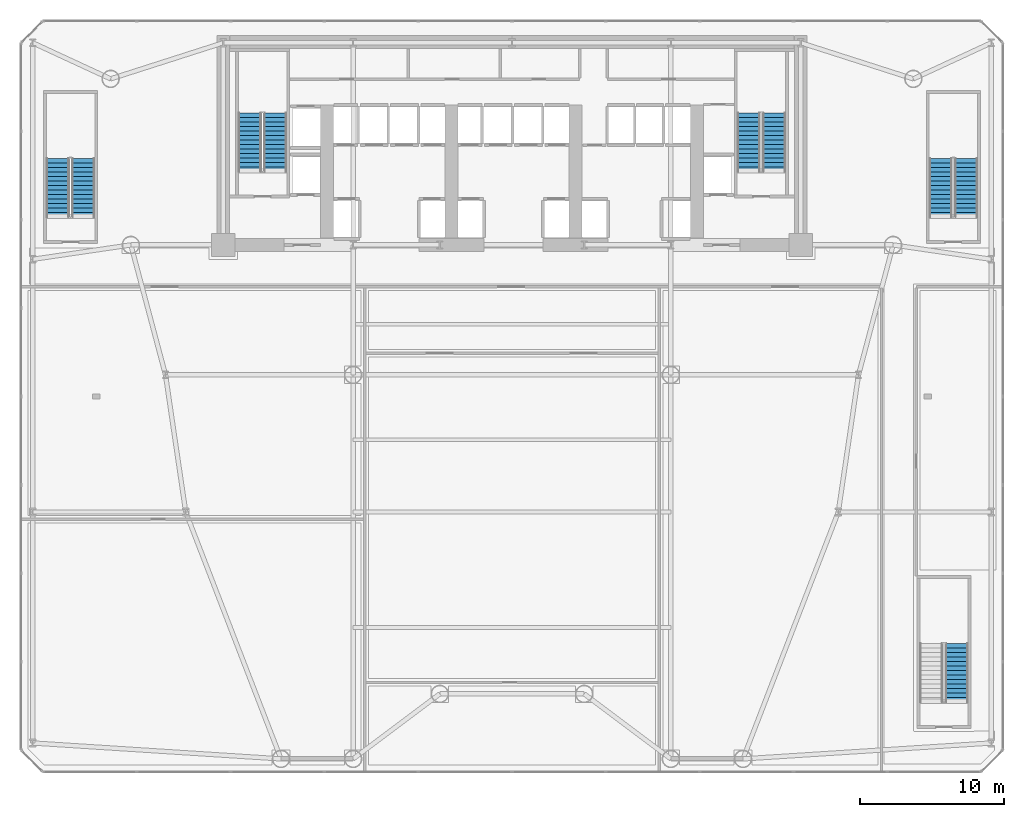
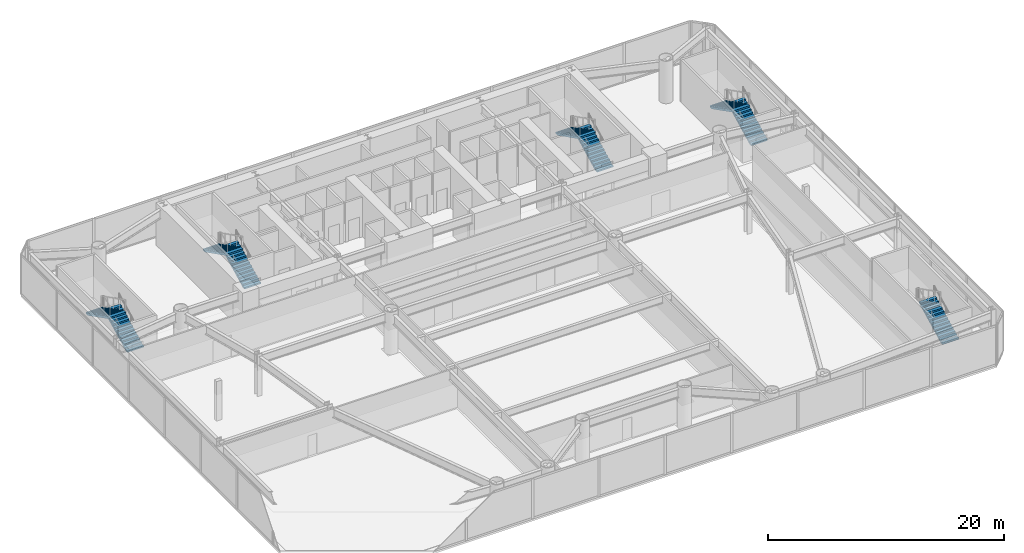
# One storey, part 17 of 24: 9 stair flights, 5 elements without a shape of their own.
"""IFC4 building model written with IfcOpenShell, lengths in metres."""

from ifc_helpers import new_model, si_unit, direction, frame, origin, place, context, subcontext, project, spatial, polyline, outline, extrude, material, type_object, element, aggregate, save


model = new_model("IFC4")

# Units and contexts
model_context = context("Model", 3, precision=1e-05, world=origin(), true_north=direction((0.0, 1.0)))
body_context = subcontext(model_context, "Body", "Model", "MODEL_VIEW")
ifc_project = project(units=[si_unit("LENGTHUNIT", "METRE"), si_unit("AREAUNIT", "SQUARE_METRE"), si_unit("VOLUMEUNIT", "CUBIC_METRE"), si_unit("PLANEANGLEUNIT", "RADIAN"), si_unit("MASSUNIT", "GRAM", prefix="KILO")], contexts=[model_context])

# Site, building, storey
site_placement = place(None, origin())
site = spatial("IfcSite", under=ifc_project, at=site_placement, CompositionType="ELEMENT")
building_placement = place(site_placement, origin())
building = spatial("IfcBuilding", under=site, at=building_placement, Name="Vaeldorn Concourse Tower", CompositionType="ELEMENT")
storey_placement = place(building_placement, frame((0.0, 0.0, 10.0)))
storey = spatial("IfcBuildingStorey", under=building, at=storey_placement, Name="L02", CompositionType="ELEMENT", Elevation=10.0)

# Stair, stair flights
ifc_material = material(Name="Precast concrete C40/50", Category="concrete")
stair_type = type_object("IfcStairType", Name="STR-DOG-28x157", PredefinedType="HALF_TURN_STAIR", material=ifc_material)
stair_1_placement = place(storey_placement, origin())
stair_1 = element("IfcStair", 1, at=stair_1_placement, inside=storey, type_object=stair_type, Name="L02 West Core Exit Stair ST-1", PredefinedType="HALF_TURN_STAIR")
stair_flight_type = type_object("IfcStairFlightType", Name="STF-STR-14x157", PredefinedType="STRAIGHT", material=ifc_material)
stair_flight_1_placement = place(storey_placement, frame((17.60009765625, 41.60009765625, 0.0), z_axis=(0.0, 0.0, 1.0), x_axis=(0.0, 1.0, 0.0)))
stair_flight_1 = element("IfcStairFlight", 2, at=stair_flight_1_placement, type_object=stair_flight_type, Name="ST-1 flight 1", NumberOfRisers=14, NumberOfTreads=13, PredefinedType="STRAIGHT", RiserHeight=0.157142857, TreadLength=0.31, context=body_context, shape_type="SweptSolid", body=[
    extrude(outline(polyline([(0.0, 0.0), (0.0, 0.1572265625), (0.31005859375, 0.1572265625), (0.31005859375, 0.314208984375), (0.6201171875, 0.314208984375), (0.6201171875, 0.471435546875), (0.929931640625, 0.471435546875), (0.929931640625, 0.628662109375), (1.239990234375, 0.628662109375), (1.239990234375, 0.78564453125), (1.550048828125, 0.78564453125), (1.550048828125, 0.94287109375), (1.860107421875, 0.94287109375), (1.860107421875, 1.10009765625), (2.169921875, 1.10009765625), (2.169921875, 1.257080078125), (2.47998046875, 1.257080078125), (2.47998046875, 1.414306640625), (2.7900390625, 1.414306640625), (2.7900390625, 1.571533203125), (3.10009765625, 1.571533203125), (3.10009765625, 1.728515625), (3.409912109375, 1.728515625), (3.409912109375, 1.8857421875), (3.719970703125, 1.8857421875), (3.719970703125, 2.04296875), (4.030029296875, 2.04296875), (4.030029296875, 2.199951171875), (4.030029296875, 1.874755859375), (0.33154296875, 0.0), (0.0, 0.0)])), frame((0.0, 0.800048828125, 0.0), z_axis=(0.0, -1.0, 0.0), x_axis=(1.0, 0.0, 0.0)), (0.0, 0.0, 1.0), 1.60009765625),
])
stair_flight_2_placement = place(storey_placement, frame((15.85009765625, 45.6298828125, 2.199951171875), z_axis=(0.0, 0.0, 1.0), x_axis=(0.0, -1.0, 0.0)))
stair_flight_2 = element("IfcStairFlight", 3, at=stair_flight_2_placement, type_object=stair_flight_type, Name="ST-1 flight 2", NumberOfRisers=14, NumberOfTreads=13, PredefinedType="STRAIGHT", RiserHeight=0.157142857, TreadLength=0.31, context=body_context, shape_type="SweptSolid", body=[
    extrude(outline(polyline([(0.0, 0.0), (0.0, 0.1572265625), (0.31005859375, 0.1572265625), (0.31005859375, 0.314208984375), (0.6201171875, 0.314208984375), (0.6201171875, 0.471435546875), (0.929931640625, 0.471435546875), (0.929931640625, 0.628662109375), (1.239990234375, 0.628662109375), (1.239990234375, 0.78564453125), (1.550048828125, 0.78564453125), (1.550048828125, 0.94287109375), (1.860107421875, 0.94287109375), (1.860107421875, 1.10009765625), (2.169921875, 1.10009765625), (2.169921875, 1.257080078125), (2.47998046875, 1.257080078125), (2.47998046875, 1.414306640625), (2.7900390625, 1.414306640625), (2.7900390625, 1.571533203125), (3.10009765625, 1.571533203125), (3.10009765625, 1.728515625), (3.409912109375, 1.728515625), (3.409912109375, 1.8857421875), (3.719970703125, 1.8857421875), (3.719970703125, 2.04296875), (4.030029296875, 2.04296875), (4.030029296875, 2.199951171875), (4.030029296875, 1.874755859375), (0.33154296875, 0.0), (0.0, 0.0)])), frame((0.0, 0.800048828125, 0.0), z_axis=(0.0, -1.0, 0.0), x_axis=(1.0, 0.0, 0.0)), (0.0, 0.0, 1.0), 1.60009765625),
])
aggregate(stair_1, [stair_flight_1, stair_flight_2])

stair_2_placement = place(storey_placement, origin())
stair_2 = element("IfcStair", 4, at=stair_2_placement, inside=storey, type_object=stair_type, Name="L02 East Core Exit Stair ST-2", PredefinedType="HALF_TURN_STAIR")
stair_flight_3_placement = place(storey_placement, frame((52.14990234375, 41.60009765625, 0.0), z_axis=(0.0, 0.0, 1.0), x_axis=(0.0, 1.0, 0.0)))
stair_flight_3 = element("IfcStairFlight", 5, at=stair_flight_3_placement, type_object=stair_flight_type, Name="ST-2 flight 1", NumberOfRisers=14, NumberOfTreads=13, PredefinedType="STRAIGHT", RiserHeight=0.157142857, TreadLength=0.31, context=body_context, shape_type="SweptSolid", body=[
    extrude(outline(polyline([(0.0, 0.0), (0.0, 0.1572265625), (0.31005859375, 0.1572265625), (0.31005859375, 0.314208984375), (0.6201171875, 0.314208984375), (0.6201171875, 0.471435546875), (0.929931640625, 0.471435546875), (0.929931640625, 0.628662109375), (1.239990234375, 0.628662109375), (1.239990234375, 0.78564453125), (1.550048828125, 0.78564453125), (1.550048828125, 0.94287109375), (1.860107421875, 0.94287109375), (1.860107421875, 1.10009765625), (2.169921875, 1.10009765625), (2.169921875, 1.257080078125), (2.47998046875, 1.257080078125), (2.47998046875, 1.414306640625), (2.7900390625, 1.414306640625), (2.7900390625, 1.571533203125), (3.10009765625, 1.571533203125), (3.10009765625, 1.728515625), (3.409912109375, 1.728515625), (3.409912109375, 1.8857421875), (3.719970703125, 1.8857421875), (3.719970703125, 2.04296875), (4.030029296875, 2.04296875), (4.030029296875, 2.199951171875), (4.030029296875, 1.874755859375), (0.33154296875, 0.0), (0.0, 0.0)])), frame((0.0, 0.800048828125, 0.0), z_axis=(0.0, -1.0, 0.0), x_axis=(1.0, 0.0, 0.0)), (0.0, 0.0, 1.0), 1.60009765625),
])
stair_flight_4_placement = place(storey_placement, frame((50.39990234375, 45.6298828125, 2.199951171875), z_axis=(0.0, 0.0, 1.0), x_axis=(0.0, -1.0, 0.0)))
stair_flight_4 = element("IfcStairFlight", 6, at=stair_flight_4_placement, type_object=stair_flight_type, Name="ST-2 flight 2", NumberOfRisers=14, NumberOfTreads=13, PredefinedType="STRAIGHT", RiserHeight=0.157142857, TreadLength=0.31, context=body_context, shape_type="SweptSolid", body=[
    extrude(outline(polyline([(0.0, 0.0), (0.0, 0.1572265625), (0.31005859375, 0.1572265625), (0.31005859375, 0.314208984375), (0.6201171875, 0.314208984375), (0.6201171875, 0.471435546875), (0.929931640625, 0.471435546875), (0.929931640625, 0.628662109375), (1.239990234375, 0.628662109375), (1.239990234375, 0.78564453125), (1.550048828125, 0.78564453125), (1.550048828125, 0.94287109375), (1.860107421875, 0.94287109375), (1.860107421875, 1.10009765625), (2.169921875, 1.10009765625), (2.169921875, 1.257080078125), (2.47998046875, 1.257080078125), (2.47998046875, 1.414306640625), (2.7900390625, 1.414306640625), (2.7900390625, 1.571533203125), (3.10009765625, 1.571533203125), (3.10009765625, 1.728515625), (3.409912109375, 1.728515625), (3.409912109375, 1.8857421875), (3.719970703125, 1.8857421875), (3.719970703125, 2.04296875), (4.030029296875, 2.04296875), (4.030029296875, 2.199951171875), (4.030029296875, 1.874755859375), (0.33154296875, 0.0), (0.0, 0.0)])), frame((0.0, 0.800048828125, 0.0), z_axis=(0.0, -1.0, 0.0), x_axis=(1.0, 0.0, 0.0)), (0.0, 0.0, 1.0), 1.60009765625),
])
aggregate(stair_2, [stair_flight_3, stair_flight_4])

stair_3_placement = place(storey_placement, origin())
stair_3 = element("IfcStair", 7, at=stair_3_placement, inside=storey, type_object=stair_type, Name="L02 Station West Exit Stair ST-3", PredefinedType="HALF_TURN_STAIR")
stair_flight_5_placement = place(storey_placement, frame((4.300048828125, 38.449951171875, 0.0), z_axis=(0.0, 0.0, 1.0), x_axis=(0.0, 1.0, 0.0)))
stair_flight_5 = element("IfcStairFlight", 8, at=stair_flight_5_placement, type_object=stair_flight_type, Name="ST-3 flight 1", NumberOfRisers=14, NumberOfTreads=13, PredefinedType="STRAIGHT", RiserHeight=0.157142857, TreadLength=0.31, context=body_context, shape_type="SweptSolid", body=[
    extrude(outline(polyline([(0.0, 0.0), (0.0, 0.1572265625), (0.31005859375, 0.1572265625), (0.31005859375, 0.314208984375), (0.6201171875, 0.314208984375), (0.6201171875, 0.471435546875), (0.929931640625, 0.471435546875), (0.929931640625, 0.628662109375), (1.239990234375, 0.628662109375), (1.239990234375, 0.78564453125), (1.550048828125, 0.78564453125), (1.550048828125, 0.94287109375), (1.860107421875, 0.94287109375), (1.860107421875, 1.10009765625), (2.169921875, 1.10009765625), (2.169921875, 1.257080078125), (2.47998046875, 1.257080078125), (2.47998046875, 1.414306640625), (2.7900390625, 1.414306640625), (2.7900390625, 1.571533203125), (3.10009765625, 1.571533203125), (3.10009765625, 1.728515625), (3.409912109375, 1.728515625), (3.409912109375, 1.8857421875), (3.719970703125, 1.8857421875), (3.719970703125, 2.04296875), (4.030029296875, 2.04296875), (4.030029296875, 2.199951171875), (4.030029296875, 1.874755859375), (0.33154296875, 0.0), (0.0, 0.0)])), frame((0.0, 0.800048828125, 0.0), z_axis=(0.0, -1.0, 0.0), x_axis=(1.0, 0.0, 0.0)), (0.0, 0.0, 1.0), 1.60009765625),
])
stair_flight_6_placement = place(storey_placement, frame((2.550048828125, 42.47998046875, 2.199951171875), z_axis=(0.0, 0.0, 1.0), x_axis=(0.0, -1.0, 0.0)))
stair_flight_6 = element("IfcStairFlight", 9, at=stair_flight_6_placement, type_object=stair_flight_type, Name="ST-3 flight 2", NumberOfRisers=14, NumberOfTreads=13, PredefinedType="STRAIGHT", RiserHeight=0.157142857, TreadLength=0.31, context=body_context, shape_type="SweptSolid", body=[
    extrude(outline(polyline([(0.0, 0.0), (0.0, 0.1572265625), (0.31005859375, 0.1572265625), (0.31005859375, 0.314208984375), (0.6201171875, 0.314208984375), (0.6201171875, 0.471435546875), (0.929931640625, 0.471435546875), (0.929931640625, 0.628662109375), (1.239990234375, 0.628662109375), (1.239990234375, 0.78564453125), (1.550048828125, 0.78564453125), (1.550048828125, 0.94287109375), (1.860107421875, 0.94287109375), (1.860107421875, 1.10009765625), (2.169921875, 1.10009765625), (2.169921875, 1.257080078125), (2.47998046875, 1.257080078125), (2.47998046875, 1.414306640625), (2.7900390625, 1.414306640625), (2.7900390625, 1.571533203125), (3.10009765625, 1.571533203125), (3.10009765625, 1.728515625), (3.409912109375, 1.728515625), (3.409912109375, 1.8857421875), (3.719970703125, 1.8857421875), (3.719970703125, 2.04296875), (4.030029296875, 2.04296875), (4.030029296875, 2.199951171875), (4.030029296875, 1.874755859375), (0.33154296875, 0.0), (0.0, 0.0)])), frame((0.0, 0.800048828125, 0.0), z_axis=(0.0, -1.0, 0.0), x_axis=(1.0, 0.0, 0.0)), (0.0, 0.0, 1.0), 1.60009765625),
])
aggregate(stair_3, [stair_flight_5, stair_flight_6])

stair_4_placement = place(storey_placement, origin())
stair_4 = element("IfcStair", 10, at=stair_4_placement, inside=storey, type_object=stair_type, Name="L02 Station East Exit Stair ST-4", PredefinedType="HALF_TURN_STAIR")
stair_flight_7_placement = place(storey_placement, frame((65.449951171875, 38.449951171875, 0.0), z_axis=(0.0, 0.0, 1.0), x_axis=(0.0, 1.0, 0.0)))
stair_flight_7 = element("IfcStairFlight", 11, at=stair_flight_7_placement, type_object=stair_flight_type, Name="ST-4 flight 1", NumberOfRisers=14, NumberOfTreads=13, PredefinedType="STRAIGHT", RiserHeight=0.157142857, TreadLength=0.31, context=body_context, shape_type="SweptSolid", body=[
    extrude(outline(polyline([(0.0, 0.0), (0.0, 0.1572265625), (0.31005859375, 0.1572265625), (0.31005859375, 0.314208984375), (0.6201171875, 0.314208984375), (0.6201171875, 0.471435546875), (0.929931640625, 0.471435546875), (0.929931640625, 0.628662109375), (1.239990234375, 0.628662109375), (1.239990234375, 0.78564453125), (1.550048828125, 0.78564453125), (1.550048828125, 0.94287109375), (1.860107421875, 0.94287109375), (1.860107421875, 1.10009765625), (2.169921875, 1.10009765625), (2.169921875, 1.257080078125), (2.47998046875, 1.257080078125), (2.47998046875, 1.414306640625), (2.7900390625, 1.414306640625), (2.7900390625, 1.571533203125), (3.10009765625, 1.571533203125), (3.10009765625, 1.728515625), (3.409912109375, 1.728515625), (3.409912109375, 1.8857421875), (3.719970703125, 1.8857421875), (3.719970703125, 2.04296875), (4.030029296875, 2.04296875), (4.030029296875, 2.199951171875), (4.030029296875, 1.874755859375), (0.33154296875, 0.0), (0.0, 0.0)])), frame((0.0, 0.800048828125, 0.0), z_axis=(0.0, -1.0, 0.0), x_axis=(1.0, 0.0, 0.0)), (0.0, 0.0, 1.0), 1.60009765625),
])
stair_flight_8_placement = place(storey_placement, frame((63.699951171875, 42.47998046875, 2.199951171875), z_axis=(0.0, 0.0, 1.0), x_axis=(0.0, -1.0, 0.0)))
stair_flight_8 = element("IfcStairFlight", 12, at=stair_flight_8_placement, type_object=stair_flight_type, Name="ST-4 flight 2", NumberOfRisers=14, NumberOfTreads=13, PredefinedType="STRAIGHT", RiserHeight=0.157142857, TreadLength=0.31, context=body_context, shape_type="SweptSolid", body=[
    extrude(outline(polyline([(0.0, 0.0), (0.0, 0.1572265625), (0.31005859375, 0.1572265625), (0.31005859375, 0.314208984375), (0.6201171875, 0.314208984375), (0.6201171875, 0.471435546875), (0.929931640625, 0.471435546875), (0.929931640625, 0.628662109375), (1.239990234375, 0.628662109375), (1.239990234375, 0.78564453125), (1.550048828125, 0.78564453125), (1.550048828125, 0.94287109375), (1.860107421875, 0.94287109375), (1.860107421875, 1.10009765625), (2.169921875, 1.10009765625), (2.169921875, 1.257080078125), (2.47998046875, 1.257080078125), (2.47998046875, 1.414306640625), (2.7900390625, 1.414306640625), (2.7900390625, 1.571533203125), (3.10009765625, 1.571533203125), (3.10009765625, 1.728515625), (3.409912109375, 1.728515625), (3.409912109375, 1.8857421875), (3.719970703125, 1.8857421875), (3.719970703125, 2.04296875), (4.030029296875, 2.04296875), (4.030029296875, 2.199951171875), (4.030029296875, 1.874755859375), (0.33154296875, 0.0), (0.0, 0.0)])), frame((0.0, 0.800048828125, 0.0), z_axis=(0.0, -1.0, 0.0), x_axis=(1.0, 0.0, 0.0)), (0.0, 0.0, 1.0), 1.60009765625),
])
aggregate(stair_4, [stair_flight_7, stair_flight_8])

# Stair, stair flight
stair_5_placement = place(storey_placement, origin())
stair_5 = element("IfcStair", 13, at=stair_5_placement, inside=storey, type_object=stair_type, Name="L02 Podium Auditorium Exit Stair ST-5", PredefinedType="HALF_TURN_STAIR")
stair_flight_9_placement = place(storey_placement, frame((64.800048828125, 4.85009765625, 0.0), z_axis=(0.0, 0.0, 1.0), x_axis=(0.0, 1.0, 0.0)))
stair_flight_9 = element("IfcStairFlight", 14, at=stair_flight_9_placement, type_object=stair_flight_type, Name="ST-5 flight 1", NumberOfRisers=14, NumberOfTreads=13, PredefinedType="STRAIGHT", RiserHeight=0.157142857, TreadLength=0.31, context=body_context, shape_type="SweptSolid", body=[
    extrude(outline(polyline([(0.0, 0.0), (0.0, 0.1572265625), (0.31005859375, 0.1572265625), (0.31005859375, 0.314208984375), (0.6201171875, 0.314208984375), (0.6201171875, 0.471435546875), (0.929931640625, 0.471435546875), (0.929931640625, 0.628662109375), (1.239990234375, 0.628662109375), (1.239990234375, 0.78564453125), (1.550048828125, 0.78564453125), (1.550048828125, 0.94287109375), (1.860107421875, 0.94287109375), (1.860107421875, 1.10009765625), (2.169921875, 1.10009765625), (2.169921875, 1.257080078125), (2.47998046875, 1.257080078125), (2.47998046875, 1.414306640625), (2.7900390625, 1.414306640625), (2.7900390625, 1.571533203125), (3.10009765625, 1.571533203125), (3.10009765625, 1.728515625), (3.409912109375, 1.728515625), (3.409912109375, 1.8857421875), (3.719970703125, 1.8857421875), (3.719970703125, 2.04296875), (4.030029296875, 2.04296875), (4.030029296875, 2.199951171875), (4.030029296875, 1.874755859375), (0.33154296875, 0.0), (0.0, 0.0)])), frame((0.0, 0.800048828125, 0.0), z_axis=(0.0, -1.0, 0.0), x_axis=(1.0, 0.0, 0.0)), (0.0, 0.0, 1.0), 1.60009765625),
])
aggregate(stair_5, [stair_flight_9])

save(model, "model.ifc")
